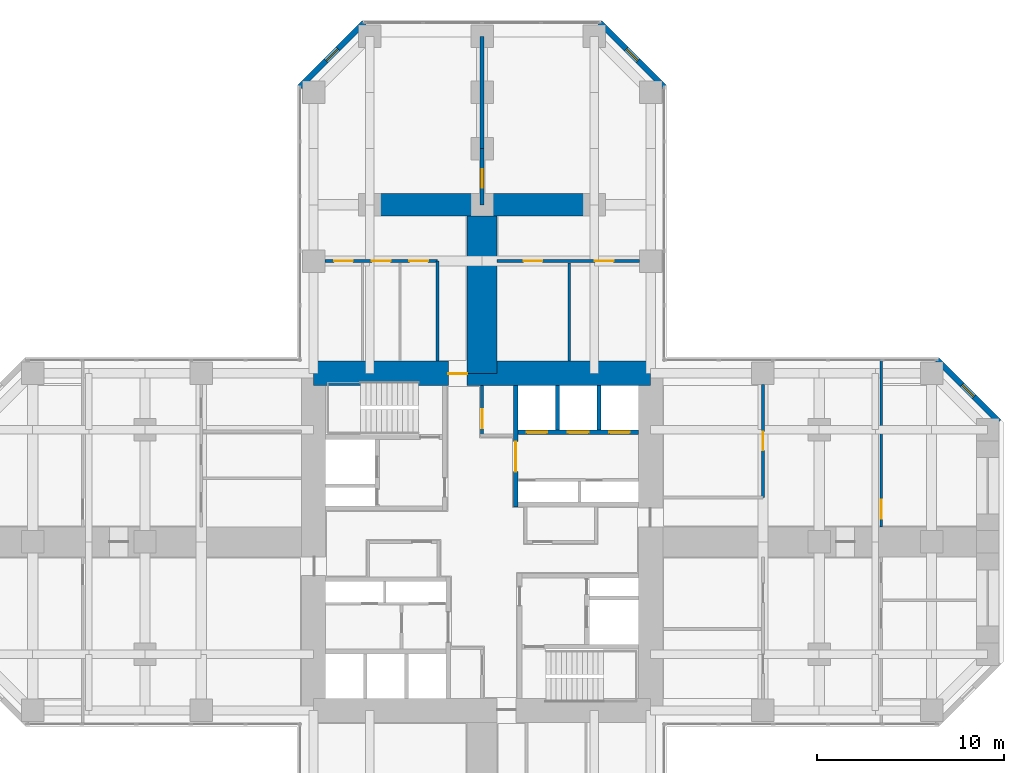
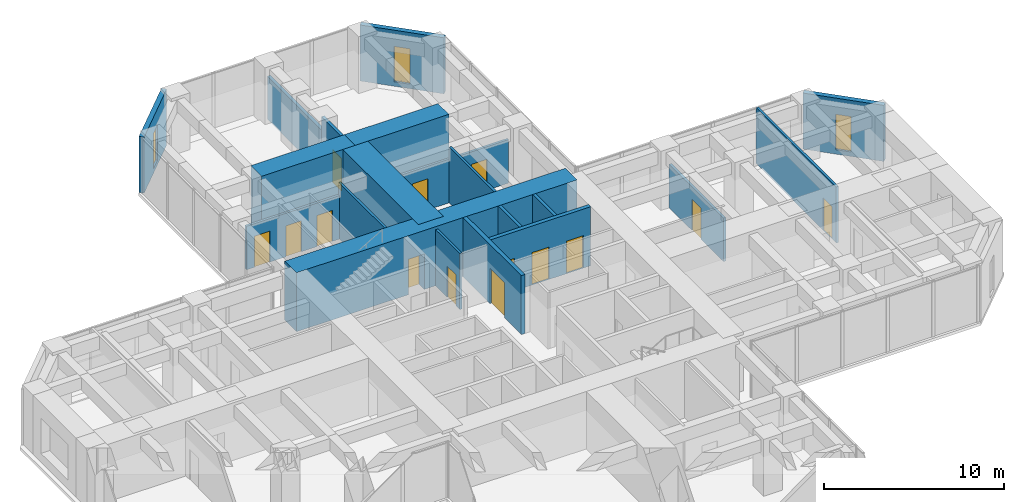
# One storey, part 11 of 13: 20 walls, 14 doors, 3 windows, 17 openings.
"""IFC4 building model written with IfcOpenShell, lengths in metres."""

import ifcopenshell
import ifcopenshell.guid

model = None  # the IFC model being written
_history = None  # IfcOwnerHistory: only IFC2X3 demands one
_inside = {}  # id of a spatial element -> (the spatial element, [elements in it])
_under = {}  # id of a project, library or spatial element -> (it, [spatial elements below it])
_declared = {}  # id of a project -> (the project, [libraries it declares])
_typed = {}  # id of a type object -> (the type object, [elements of that type])
_made_of = {}  # id of a material, layer set ... -> (it, [elements and type objects made of it])


def new_model(schema):
    """Start an empty IFC model of exactly this schema.

    Asked for "IFC4X3", IfcOpenShell would pick the latest addendum, in which some entities
    have other attributes; the version numbers below select the first issue.
    IFC2X3 requires an IfcOwnerHistory on every rooted entity: one is made here for all.
    """
    global model, _history
    if schema == "IFC4X3":
        model = ifcopenshell.file(schema_version=(4, 3, 0, 0))
    else:
        model = ifcopenshell.file(schema=schema)
    _inside.clear()
    _under.clear()
    _declared.clear()
    _typed.clear()
    _made_of.clear()
    _history = None
    if model.schema == "IFC2X3":
        org = make("IfcOrganization", Name="unknown")
        user = make(
            "IfcPersonAndOrganization",
            ThePerson=make("IfcPerson", FamilyName="unknown"),
            TheOrganization=org,
        )
        app = make(
            "IfcApplication",
            ApplicationDeveloper=org,
            Version="unknown",
            ApplicationFullName="unknown",
            ApplicationIdentifier="unknown",
        )
        _history = make(
            "IfcOwnerHistory",
            OwningUser=user,
            OwningApplication=app,
            ChangeAction="ADDED",
            CreationDate=0,
        )
    return model


def make(cls, **values):
    """One entity of the class cls with the attributes given. An attribute that is None is left unset."""
    return model.create_entity(
        cls, **{name: value for name, value in values.items() if value is not None}
    )


def rooted(cls, **values):
    """An entity with a GlobalId (a new one), such as an element, a storey or a relation."""
    return make(cls, GlobalId=ifcopenshell.guid.new(), OwnerHistory=_history, **values)


def si_unit(unit_type, name, prefix=None):
    """IfcSIUnit, for example si_unit("LENGTHUNIT", "METRE", prefix="MILLI")."""
    return make("IfcSIUnit", UnitType=unit_type, Prefix=prefix, Name=name)


def assignment(units):
    """IfcUnitAssignment: the units of a project."""
    return None if units is None else make("IfcUnitAssignment", Units=units)


def point(xyz):
    """IfcCartesianPoint."""
    return None if xyz is None else make("IfcCartesianPoint", Coordinates=xyz)


def direction(xyz):
    """IfcDirection."""
    return None if xyz is None else make("IfcDirection", DirectionRatios=xyz)


def frame(location, z_axis=None, x_axis=None):
    """IfcAxis2Placement3D, a coordinate frame: its origin and axes. An axis left out is left unset."""
    return make(
        "IfcAxis2Placement3D",
        Location=point(location),
        Axis=direction(z_axis),
        RefDirection=direction(x_axis),
    )


def frame_2d(location, x_axis=None):
    """IfcAxis2Placement2D, a coordinate frame in the plane: its origin and x axis."""
    return make(
        "IfcAxis2Placement2D", Location=point(location), RefDirection=direction(x_axis)
    )


def origin():
    """The frame at (0, 0, 0) with its axes left unset."""
    return frame((0.0, 0.0, 0.0))


def place(relative_to, where):
    """IfcLocalPlacement: puts the frame where relative to a parent placement (None: the world)."""
    return make(
        "IfcLocalPlacement", PlacementRelTo=relative_to, RelativePlacement=where
    )


def context(
    kind, dimensions, precision=None, world=None, true_north=None, identifier=None
):
    """IfcGeometricRepresentationContext, for example the 3D "Model" context."""
    return make(
        "IfcGeometricRepresentationContext",
        ContextIdentifier=identifier,
        ContextType=kind,
        CoordinateSpaceDimension=dimensions,
        Precision=precision,
        WorldCoordinateSystem=world,
        TrueNorth=true_north,
    )


def subcontext(parent, identifier, kind, view, scale=None):
    """IfcGeometricRepresentationSubContext, for example "Body" below "Model"."""
    return make(
        "IfcGeometricRepresentationSubContext",
        ContextIdentifier=identifier,
        ContextType=kind,
        ParentContext=parent,
        TargetScale=scale,
        TargetView=view,
    )


def project(units=None, contexts=None):
    """IfcProject with its units and contexts."""
    return rooted(
        "IfcProject",
        Name="project",
        RepresentationContexts=contexts,
        UnitsInContext=assignment(units),
    )


def spatial(cls, under=None, at=None, **own):
    """A site, building, storey or space (cls), placed at a placement, below another one or the project."""
    s = rooted(cls, ObjectPlacement=at, **own)
    if under is not None:
        _under.setdefault(under.id(), (under, []))[1].append(s)
    return s


def profile(cls, at=None, kind="AREA", **sizes):
    """A parametric profile (cls). Its sizes go by their IFC names, for example OverallWidth=200.0."""
    return make(cls, ProfileType=kind, Position=at, **sizes)


def rectangle(**sizes):
    """IfcRectangleProfileDef."""
    return profile("IfcRectangleProfileDef", **sizes)


def hollow_rectangle(**sizes):
    """IfcRectangleHollowProfileDef."""
    return profile("IfcRectangleHollowProfileDef", **sizes)


def extrude(swept, where, along, depth):
    """IfcExtrudedAreaSolid: the profile swept, set in the frame where, extruded along a direction by depth."""
    return make(
        "IfcExtrudedAreaSolid",
        SweptArea=swept,
        Position=where,
        ExtrudedDirection=direction(along),
        Depth=depth,
    )


def shape(context_of_items, identifier, shape_type, items):
    """IfcShapeRepresentation: the items that make up one representation, for example the "Body"."""
    return make(
        "IfcShapeRepresentation",
        ContextOfItems=context_of_items,
        RepresentationIdentifier=identifier,
        RepresentationType=shape_type,
        Items=items,
    )


def material(Name=None, Category=None):
    """IfcMaterial."""
    return make("IfcMaterial", Name=Name, Category=Category)


def layer(
    of_material, thickness, ventilated=None, Name=None, Category=None, Priority=None
):
    """IfcMaterialLayer: one layer of a wall or slab, of a material (None: an air gap)."""
    return make(
        "IfcMaterialLayer",
        Material=of_material,
        LayerThickness=thickness,
        IsVentilated=ventilated,
        Name=Name,
        Category=Category,
        Priority=Priority,
    )


def layer_set(layers, Name=None):
    """IfcMaterialLayerSet."""
    return make("IfcMaterialLayerSet", MaterialLayers=layers, LayerSetName=Name)


def constituent(of_material, Name=None, Category=None, fraction=None):
    """IfcMaterialConstituent: one of the materials an element consists of."""
    return make(
        "IfcMaterialConstituent",
        Name=Name,
        Material=of_material,
        Fraction=fraction,
        Category=Category,
    )


def constituent_set(constituents=None, Name=None):
    """IfcMaterialConstituentSet."""
    return make(
        "IfcMaterialConstituentSet", Name=Name, MaterialConstituents=constituents
    )


def made_of(thing, what):
    """Note that an element or type object is made of a material, layer set ...; save() writes the relation."""
    if what is not None:
        _made_of.setdefault(what.id(), (what, []))[1].append(thing)
    return thing


def type_object(cls, material=None, **own):
    """A type object (cls), such as IfcWallType, which elements share."""
    return made_of(rooted(cls, **own), material)


def element(
    cls,
    number,
    at=None,
    inside=None,
    cuts=None,
    type_object=None,
    material=None,
    context=None,
    identifier="Body",
    shape_type=None,
    held_by="IfcProductDefinitionShape",
    body=None,
    shapes=None,
    **own,
):
    """One element of the class cls, such as IfcWall. Its Tag is "e" and its number.

    at: its placement. inside: the storey or other place that contains it. cuts: it is an
    opening in that element (IfcRelVoidsElement). A single representation is given by context,
    identifier, shape_type and body (its items); several are given by shapes. held_by: the class
    of the entity that holds the representations. save() writes the other relations.
    """
    e = rooted(cls, Tag="e%d" % number, ObjectPlacement=at, **own)
    if body is not None:
        shapes = [shape(context, identifier, shape_type, body)]
    if shapes is not None:
        e.Representation = make(held_by, Representations=shapes)
    if inside is not None:
        _inside.setdefault(inside.id(), (inside, []))[1].append(e)
    if cuts is not None:
        rooted(
            "IfcRelVoidsElement", RelatingBuildingElement=cuts, RelatedOpeningElement=e
        )
    if type_object is not None:
        _typed.setdefault(type_object.id(), (type_object, []))[1].append(e)
    return made_of(e, material)


def fill(opening, filler):
    """IfcRelFillsElement: the door or window that sits in an opening."""
    return rooted(
        "IfcRelFillsElement",
        RelatingOpeningElement=opening,
        RelatedBuildingElement=filler,
    )


def aggregate(whole, parts):
    """IfcRelAggregates: a whole, such as a stair, and the parts it consists of."""
    return rooted("IfcRelAggregates", RelatingObject=whole, RelatedObjects=parts)


def save(model, path):
    """Write the relations noted so far, then the file.

    IfcRelAggregates (storeys below a building ...), IfcRelContainedInSpatialStructure (elements
    in a storey), IfcRelDefinesByType, IfcRelAssociatesMaterial and IfcRelDeclares: one each for
    every whole, place, type object, material and project.
    """
    for whole, parts in _under.values():
        aggregate(whole, parts)
    for where, things in _inside.values():
        rooted(
            "IfcRelContainedInSpatialStructure",
            RelatedElements=things,
            RelatingStructure=where,
        )
    for kind, things in _typed.values():
        rooted("IfcRelDefinesByType", RelatedObjects=things, RelatingType=kind)
    for what, things in _made_of.values():
        rooted("IfcRelAssociatesMaterial", RelatedObjects=things, RelatingMaterial=what)
    for by, libraries in _declared.values():
        rooted("IfcRelDeclares", RelatingContext=by, RelatedDefinitions=libraries)
    model.write(path)


model = new_model("IFC4")

# Units and contexts
model_context = context("Model", 3, precision=1e-05, world=origin(), true_north=direction((0.0, 1.0)))
body_context = subcontext(model_context, "Body", "Model", "MODEL_VIEW")
ifc_project = project(units=[si_unit("LENGTHUNIT", "METRE"), si_unit("AREAUNIT", "SQUARE_METRE"), si_unit("VOLUMEUNIT", "CUBIC_METRE"), si_unit("PLANEANGLEUNIT", "RADIAN"), si_unit("MASSUNIT", "GRAM", prefix="KILO")], contexts=[model_context])

# Site, building, storey
site_placement = place(None, origin())
site = spatial("IfcSite", under=ifc_project, at=site_placement, CompositionType="ELEMENT")
building_placement = place(site_placement, origin())
building = spatial("IfcBuilding", under=site, at=building_placement, Name="Torre Cruceta", CompositionType="ELEMENT")
storey_placement = place(building_placement, frame((0.0, 0.0, 27.5)))
storey = spatial("IfcBuildingStorey", under=building, at=storey_placement, Name="L06", CompositionType="ELEMENT", Elevation=27.5)

# Wall, opening, door
ifc_material_1 = material(Name="Concrete G60 (fck 60 MPa)", Category="concrete")
ifc_layer_1 = layer(ifc_material_1, 0.25)
ifc_layer_set_1 = layer_set([ifc_layer_1], Name="Concrete G60 (fck 60 MPa)")
wall_type_1 = type_object("IfcWallType", Name="CORE INNER WALL 250 G60", PredefinedType="SHEAR", material=ifc_layer_set_1)
wall_1_placement = place(storey_placement, frame((1.800048828125, 1.875, 0.0), z_axis=(0.0, 0.0, 1.0), x_axis=(0.0, 1.0, 0.0)))
wall_1 = element("IfcWall", 1, at=wall_1_placement, inside=storey, type_object=wall_type_1, Name="CW4 L06 NE-CU", PredefinedType="SHEAR", context=body_context, shape_type="SweptSolid", body=[
    extrude(rectangle(XDim=6.47509765625, YDim=0.25, at=frame_2d((3.237548828125, 0.0))), origin(), (0.0, 0.0, 1.0), 4.0),
])
opening_1_placement = place(wall_1_placement, frame((1.875, 0.0, 0.0)))
opening_1 = element("IfcOpeningElement", 2, at=opening_1_placement, cuts=wall_1, Name="Opening D8", PredefinedType="OPENING", context=body_context, shape_type="SweptSolid", body=[
    extrude(rectangle(XDim=1.60009765625, YDim=2.39990234375, at=frame_2d((0.800048828125, 1.199951171875))), frame((0.0, 0.135009765625, 0.0), z_axis=(0.0, -1.0, 0.0), x_axis=(1.0, 0.0, 0.0)), (0.0, 0.0, 1.0), 0.27001953125),
])
ifc_material_2 = material(Name="Steel DX51D", Category="steel")
ifc_constituent_1 = constituent(ifc_material_2, Name="Leaf and frame")
ifc_material_3 = material(Name="Polyester powder coating", Category="paint")
ifc_constituent_2 = constituent(ifc_material_3, Name="Finish")
ifc_material_4 = material(Name="Fire-resisting glass", Category="glass")
ifc_constituent_3 = constituent(ifc_material_4, Name="Vision panel")
ifc_constituent_set_1 = constituent_set(constituents=[ifc_constituent_1, ifc_constituent_2, ifc_constituent_3], Name="Steel fire door with vision panels")
door_type_1 = type_object("IfcDoorType", Name="LIFT LOBBY DOUBLE DOOR 1600X2400", OperationType="DOUBLE_DOOR_DOUBLE_SWING", PredefinedType="DOOR", material=ifc_constituent_set_1)
door_1_placement = place(opening_1_placement, origin())
door_1 = element("IfcDoor", 3, at=door_1_placement, inside=storey, type_object=door_type_1, Name="D8 L06 NE-LOBBY", OperationType="DOUBLE_DOOR_DOUBLE_SWING", OverallHeight=2.39990234375, OverallWidth=1.60009765625, PredefinedType="DOOR", context=body_context, shape_type="SweptSolid", body=[
    extrude(rectangle(XDim=1.60009765625, YDim=2.39990234375, at=frame_2d((0.800048828125, 1.199951171875))), frame((0.0, 0.02490234375, 0.0), z_axis=(0.0, -1.0, 0.0), x_axis=(1.0, 0.0, 0.0)), (0.0, 0.0, 1.0), 0.050048828125),
])
fill(opening_1, door_1)

# Wall, openings, doors
wall_2_placement = place(storey_placement, frame((1.925048828125, 5.85009765625, 0.0), z_axis=(0.0, 0.0, 1.0), x_axis=(1.0, 0.0, 0.0)))
wall_2 = element("IfcWall", 4, at=wall_2_placement, inside=storey, type_object=wall_type_1, Name="CW4 L06 NE-LV", PredefinedType="SHEAR", context=body_context, shape_type="SweptSolid", body=[
    extrude(rectangle(XDim=6.425048828125, YDim=0.25, at=frame_2d((3.21240234375, 0.0))), origin(), (0.0, 0.0, 1.0), 4.0),
])
opening_2_placement = place(wall_2_placement, frame((0.4541015625, 0.0, 0.0)))
opening_2 = element("IfcOpeningElement", 5, at=opening_2_placement, cuts=wall_2, Name="Opening LD1", PredefinedType="OPENING", context=body_context, shape_type="SweptSolid", body=[
    extrude(rectangle(XDim=1.10009765625, YDim=2.199951171875, at=frame_2d((0.550048828125, 1.10009765625))), frame((0.0, 0.135009765625, 0.0), z_axis=(0.0, -1.0, 0.0), x_axis=(1.0, 0.0, 0.0)), (0.0, 0.0, 1.0), 0.27001953125),
])
opening_3_placement = place(wall_2_placement, frame((2.66259765625, 0.0, 0.0)))
opening_3 = element("IfcOpeningElement", 6, at=opening_3_placement, cuts=wall_2, Name="Opening LD1", PredefinedType="OPENING", context=body_context, shape_type="SweptSolid", body=[
    extrude(rectangle(XDim=1.10009765625, YDim=2.199951171875, at=frame_2d((0.550048828125, 1.10009765625))), frame((0.0, 0.135009765625, 0.0), z_axis=(0.0, -1.0, 0.0), x_axis=(1.0, 0.0, 0.0)), (0.0, 0.0, 1.0), 0.27001953125),
])
opening_4_placement = place(wall_2_placement, frame((4.870849609375, 0.0, 0.0)))
opening_4 = element("IfcOpeningElement", 7, at=opening_4_placement, cuts=wall_2, Name="Opening LD1", PredefinedType="OPENING", context=body_context, shape_type="SweptSolid", body=[
    extrude(rectangle(XDim=1.10009765625, YDim=2.199951171875, at=frame_2d((0.550048828125, 1.10009765625))), frame((0.0, 0.135009765625, 0.0), z_axis=(0.0, -1.0, 0.0), x_axis=(1.0, 0.0, 0.0)), (0.0, 0.0, 1.0), 0.27001953125),
])
ifc_material_5 = material(Name="Stainless steel 1.4401", Category="steel")
door_type_2 = type_object("IfcDoorType", Name="LIFT LANDING DOOR 1100X2200", OperationType="DOUBLE_DOOR_SLIDING", PredefinedType="DOOR", material=ifc_material_5)
door_2_placement = place(opening_2_placement, origin())
door_2 = element("IfcDoor", 8, at=door_2_placement, inside=storey, type_object=door_type_2, Name="Lift landing door P1", OperationType="DOUBLE_DOOR_SLIDING", OverallHeight=2.199951171875, OverallWidth=1.10009765625, PredefinedType="DOOR", context=body_context, shape_type="SweptSolid", body=[
    extrude(rectangle(XDim=1.10009765625, YDim=2.199951171875, at=frame_2d((0.550048828125, 1.10009765625))), frame((0.0, 0.02490234375, 0.0), z_axis=(0.0, -1.0, 0.0), x_axis=(1.0, 0.0, 0.0)), (0.0, 0.0, 1.0), 0.050048828125),
])
fill(opening_2, door_2)
door_3_placement = place(opening_3_placement, origin())
door_3 = element("IfcDoor", 9, at=door_3_placement, inside=storey, type_object=door_type_2, Name="Lift landing door P2", OperationType="DOUBLE_DOOR_SLIDING", OverallHeight=2.199951171875, OverallWidth=1.10009765625, PredefinedType="DOOR", context=body_context, shape_type="SweptSolid", body=[
    extrude(rectangle(XDim=1.10009765625, YDim=2.199951171875, at=frame_2d((0.550048828125, 1.10009765625))), frame((0.0, 0.02490234375, 0.0), z_axis=(0.0, -1.0, 0.0), x_axis=(1.0, 0.0, 0.0)), (0.0, 0.0, 1.0), 0.050048828125),
])
fill(opening_3, door_3)
door_4_placement = place(opening_4_placement, origin())
door_4 = element("IfcDoor", 10, at=door_4_placement, inside=storey, type_object=door_type_2, Name="Lift landing door P3", OperationType="DOUBLE_DOOR_SLIDING", OverallHeight=2.199951171875, OverallWidth=1.10009765625, PredefinedType="DOOR", context=body_context, shape_type="SweptSolid", body=[
    extrude(rectangle(XDim=1.10009765625, YDim=2.199951171875, at=frame_2d((0.550048828125, 1.10009765625))), frame((0.0, 0.02490234375, 0.0), z_axis=(0.0, -1.0, 0.0), x_axis=(1.0, 0.0, 0.0)), (0.0, 0.0, 1.0), 0.050048828125),
])
fill(opening_4, door_4)

# Wall, opening, door
ifc_material_6 = material(Name="Concrete G60 (fck 60 MPa)", Category="concrete")
ifc_layer_2 = layer(ifc_material_6, 1.300048828125)
ifc_layer_set_2 = layer_set([ifc_layer_2], Name="Concrete G60 (fck 60 MPa)")
wall_type_2 = type_object("IfcWallType", Name="CORE WALL 1300 G60", PredefinedType="SHEAR", material=ifc_layer_set_2)
wall_3_placement = place(storey_placement, frame((9.0, 9.0, 0.0), z_axis=(0.0, 0.0, 1.0), x_axis=(-1.0, 0.0, 0.0)))
wall_3 = element("IfcWall", 11, at=wall_3_placement, inside=storey, type_object=wall_type_2, Name="CW1 L06 CW-N", PredefinedType="SHEAR", context=body_context, shape_type="SweptSolid", body=[
    extrude(rectangle(XDim=18.0, YDim=1.300048828125, at=frame_2d((9.0, 0.0))), origin(), (0.0, 0.0, 1.0), 4.0),
])
opening_5_placement = place(wall_3_placement, frame((9.800048828125, 0.0, 0.0)))
opening_5 = element("IfcOpeningElement", 12, at=opening_5_placement, cuts=wall_3, Name="Opening D4", PredefinedType="OPENING", context=body_context, shape_type="SweptSolid", body=[
    extrude(rectangle(XDim=1.0, YDim=2.39990234375, at=frame_2d((0.5, 1.199951171875))), frame((0.0, 0.659912109375, 0.0), z_axis=(0.0, -1.0, 0.0), x_axis=(1.0, 0.0, 0.0)), (0.0, 0.0, 1.0), 1.320068359375),
])
ifc_material_7 = material(Name="Steel DX51D", Category="steel")
ifc_constituent_4 = constituent(ifc_material_7, Name="Leaf and frame")
ifc_material_8 = material(Name="Polyester powder coating", Category="paint")
ifc_constituent_5 = constituent(ifc_material_8, Name="Finish")
ifc_constituent_set_2 = constituent_set(constituents=[ifc_constituent_4, ifc_constituent_5], Name="Steel fire door")
door_type_3 = type_object("IfcDoorType", Name="CORE ARM DOOR 1000X2400", OperationType="SINGLE_SWING_RIGHT", PredefinedType="DOOR", material=ifc_constituent_set_2)
door_5_placement = place(opening_5_placement, frame((1.0, 0.0, 0.0), z_axis=(0.0, 0.0, 1.0), x_axis=(-1.0, 0.0, 0.0)))
door_5 = element("IfcDoor", 13, at=door_5_placement, inside=storey, type_object=door_type_3, Name="D4 L06 CW-N", OperationType="SINGLE_SWING_RIGHT", OverallHeight=2.39990234375, OverallWidth=1.0, PredefinedType="DOOR", context=body_context, shape_type="SweptSolid", body=[
    extrude(rectangle(XDim=1.0, YDim=2.39990234375, at=frame_2d((0.5, 1.199951171875))), frame((0.0, -0.005126953125, 0.0), z_axis=(0.0, -1.0, 0.0), x_axis=(1.0, 0.0, 0.0)), (0.0, 0.0, 1.0), 0.050048828125),
])
fill(opening_5, door_5)

ifc_material_9 = material(Name="Concrete G25 (fck 25 MPa)", Category="concrete")
ifc_layer_3 = layer(ifc_material_9, 0.199951171875)
ifc_layer_set_3 = layer_set([ifc_layer_3], Name="Concrete G25 (fck 25 MPa)")
wall_type_3 = type_object("IfcWallType", Name="CORRIDOR WALL 200", PredefinedType="SOLIDWALL", material=ifc_layer_set_3)
wall_4_placement = place(storey_placement, frame((0.0, 18.0, 0.0), z_axis=(0.0, 0.0, 1.0), x_axis=(0.0, 1.0, 0.0)))
wall_4 = element("IfcWall", 14, at=wall_4_placement, inside=storey, type_object=wall_type_3, Name="PT3 spine line L06 N", PredefinedType="SOLIDWALL", context=body_context, shape_type="SweptSolid", body=[
    extrude(rectangle(XDim=3.0, YDim=0.199951171875, at=frame_2d((1.5, 0.0))), origin(), (0.0, 0.0, 1.0), 3.800048828125),
])
opening_6_placement = place(wall_4_placement, frame((0.89990234375, 0.0, 0.0)))
opening_6 = element("IfcOpeningElement", 15, at=opening_6_placement, cuts=wall_4, Name="Opening D14", PredefinedType="OPENING", context=body_context, shape_type="SweptSolid", body=[
    extrude(rectangle(XDim=1.0, YDim=2.199951171875, at=frame_2d((0.5, 1.10009765625))), frame((0.0, 0.10986328125, 0.0), z_axis=(0.0, -1.0, 0.0), x_axis=(1.0, 0.0, 0.0)), (0.0, 0.0, 1.0), 0.219970703125),
])
ifc_material_10 = material(Name="Steel DX51D", Category="steel")
ifc_constituent_6 = constituent(ifc_material_10, Name="Leaf and frame")
ifc_material_11 = material(Name="Polyester powder coating", Category="paint")
ifc_constituent_7 = constituent(ifc_material_11, Name="Finish")
ifc_material_12 = material(Name="Fire-resisting glass", Category="glass")
ifc_constituent_8 = constituent(ifc_material_12, Name="Vision panel")
ifc_constituent_set_3 = constituent_set(constituents=[ifc_constituent_6, ifc_constituent_7, ifc_constituent_8], Name="Steel fire door with vision panel")
door_type_4 = type_object("IfcDoorType", Name="FIRE DOOR VISION PANEL 1000X2200", OperationType="SINGLE_SWING_RIGHT", PredefinedType="DOOR", material=ifc_constituent_set_3)
door_6_placement = place(opening_6_placement, frame((1.0, 0.0, 0.0), z_axis=(0.0, 0.0, 1.0), x_axis=(-1.0, 0.0, 0.0)))
door_6 = element("IfcDoor", 16, at=door_6_placement, inside=storey, type_object=door_type_4, Name="D14 L06-N-SP1", OperationType="SINGLE_SWING_RIGHT", OverallHeight=2.199951171875, OverallWidth=1.0, PredefinedType="DOOR", context=body_context, shape_type="SweptSolid", body=[
    extrude(rectangle(XDim=1.0, YDim=2.199951171875, at=frame_2d((0.5, 1.10009765625))), frame((0.0, 0.025146484375, 0.0), z_axis=(0.0, -1.0, 0.0), x_axis=(1.0, 0.0, 0.0)), (0.0, 0.0, 1.0), 0.050048828125),
])
fill(opening_6, door_6)

# Walls
wall_5_placement = place(storey_placement, frame((0.0, 21.0, 0.0), z_axis=(0.0, 0.0, 1.0), x_axis=(0.0, 1.0, 0.0)))
element("IfcWall", 17, at=wall_5_placement, inside=storey, type_object=wall_type_3, Name="PT3 spine line L06 N 2", PredefinedType="SOLIDWALL", context=body_context, shape_type="SweptSolid", body=[
    extrude(rectangle(XDim=6.0, YDim=0.199951171875, at=frame_2d((3.0, 0.0))), origin(), (0.0, 0.0, 1.0), 2.89990234375),
])
ifc_material_13 = material(Name="Concrete G60 (fck 60 MPa)", Category="concrete")
ifc_layer_4 = layer(ifc_material_13, 1.199951171875)
ifc_layer_set_4 = layer_set([ifc_layer_4], Name="Concrete G60 (fck 60 MPa)")
wall_type_4 = type_object("IfcWallType", Name="CROSS WALL 1200 G60", PredefinedType="SHEAR", material=ifc_layer_set_4)
for number, where, z_axis, x_axis, name in (
    (18, (0.0, 18.0, 0.0), (0.0, 0.0, 1.0), (-1.0, 0.0, 0.0), "XW1 cross wall L06 N L"),
    (19, (0.0, 18.0, 0.0), (0.0, 0.0, 1.0), (1.0, 0.0, 0.0), "XW1 cross wall L06 N R"),
):
    element("IfcWall", number, at=place(storey_placement, frame(where, z_axis=z_axis, x_axis=x_axis)), inside=storey, type_object=wall_type_4, Name=name, PredefinedType="SHEAR", context=body_context, shape_type="SweptSolid", body=[
        extrude(rectangle(XDim=6.0, YDim=1.199951171875, at=frame_2d((3.0, 0.0))), origin(), (0.0, 0.0, 1.0), 4.0),
    ])

# Wall, opening, window
ifc_material_14 = material(Name="Concrete G30 (fck 30 MPa)", Category="concrete")
ifc_layer_5 = layer(ifc_material_14, 0.300048828125)
ifc_layer_set_5 = layer_set([ifc_layer_5], Name="Concrete G30 (fck 30 MPa)")
wall_type_5 = type_object("IfcWallType", Name="EXPOSED CONCRETE FACADE WALL 300", PredefinedType="SOLIDWALL", material=ifc_layer_set_5)
wall_6_placement = place(storey_placement, frame((27.60009765625, 6.418212890625, 0.0), z_axis=(0.0, 0.0, 1.0), x_axis=(-0.707106781187, 0.707106781187, 0.0)))
wall_6 = element("IfcWall", 20, at=wall_6_placement, inside=storey, type_object=wall_type_5, Name="EW1 facade wall L06 E chamfer 03", PredefinedType="SOLIDWALL", context=body_context, shape_type="SweptSolid", body=[
    extrude(rectangle(XDim=4.66943359375, YDim=0.300048828125, at=frame_2d((2.334716796875, 0.0))), origin(), (0.0, 0.0, 1.0), 3.800048828125),
])
opening_7_placement = place(wall_6_placement, frame((1.884765625, 0.0, 0.300048828125)))
opening_7 = element("IfcOpeningElement", 21, at=opening_7_placement, cuts=wall_6, Name="Opening WN5", PredefinedType="OPENING", context=body_context, shape_type="SweptSolid", body=[
    extrude(rectangle(XDim=0.89990234375, YDim=2.39990234375, at=frame_2d((0.449951171875, 1.199951171875))), frame((0.0, 0.159912109375, 0.0), z_axis=(0.0, -1.0, 0.0), x_axis=(1.0, 0.0, 0.0)), (0.0, 0.0, 1.0), 0.320068359375),
])
ifc_material_15 = material(Name="Aluminium window frame", Category="aluminium")
ifc_constituent_9 = constituent(ifc_material_15, Name="Frame")
ifc_material_16 = material(Name="Laminated insulating glass unit, low-iron clear", Category="glass")
ifc_constituent_10 = constituent(ifc_material_16, Name="Glazing")
ifc_constituent_set_4 = constituent_set(constituents=[ifc_constituent_9, ifc_constituent_10], Name="Aluminium window")
window_type = type_object("IfcWindowType", Name="CHAMFER SLOT WINDOW 900X2400", PartitioningType="SINGLE_PANEL", PredefinedType="WINDOW", material=ifc_constituent_set_4)
window_1_placement = place(opening_7_placement, origin())
window_1 = element("IfcWindow", 22, at=window_1_placement, inside=storey, type_object=window_type, Name="WN5 L06 E 1", OverallHeight=2.39990234375, OverallWidth=0.89990234375, PartitioningType="SINGLE_PANEL", PredefinedType="WINDOW", context=body_context, shape_type="SweptSolid", body=[
    extrude(hollow_rectangle(XDim=0.89990234375, YDim=2.39990234375, WallThickness=0.06005859375, at=frame_2d((0.449951171875, 1.199951171875))), frame((0.0, 0.030029296875, 0.0), z_axis=(0.0, -1.0, 0.0), x_axis=(1.0, 0.0, 0.0)), (0.0, 0.0, 1.0), 0.06005859375),
    extrude(rectangle(XDim=0.77880859375, YDim=2.27880859375, at=frame_2d((0.449951171875, 1.199951171875))), frame((0.0, 0.030029296875, 0.0), z_axis=(0.0, -1.0, 0.0), x_axis=(1.0, 0.0, 0.0)), (0.0, 0.0, 1.0), 0.06005859375),
])
fill(opening_7, window_1)

wall_7_placement = place(storey_placement, frame((9.719970703125, 24.29833984375, 0.0), z_axis=(0.0, 0.0, 1.0), x_axis=(-0.707106781187, 0.707106781187, 0.0)))
wall_7 = element("IfcWall", 23, at=wall_7_placement, inside=storey, type_object=wall_type_5, Name="EW1 facade wall L06 N chamfer 06", PredefinedType="SOLIDWALL", context=body_context, shape_type="SweptSolid", body=[
    extrude(rectangle(XDim=4.8388671875, YDim=0.300048828125, at=frame_2d((2.41943359375, 0.0))), origin(), (0.0, 0.0, 1.0), 3.800048828125),
])
opening_8_placement = place(wall_7_placement, frame((1.969482421875, 0.0, 0.300048828125)))
opening_8 = element("IfcOpeningElement", 24, at=opening_8_placement, cuts=wall_7, Name="Opening WN5", PredefinedType="OPENING", context=body_context, shape_type="SweptSolid", body=[
    extrude(rectangle(XDim=0.89990234375, YDim=2.39990234375, at=frame_2d((0.449951171875, 1.199951171875))), frame((0.0, 0.159912109375, 0.0), z_axis=(0.0, -1.0, 0.0), x_axis=(1.0, 0.0, 0.0)), (0.0, 0.0, 1.0), 0.320068359375),
])
window_2_placement = place(opening_8_placement, origin())
window_2 = element("IfcWindow", 25, at=window_2_placement, inside=storey, type_object=window_type, Name="WN5 L06 N 1", OverallHeight=2.39990234375, OverallWidth=0.89990234375, PartitioningType="SINGLE_PANEL", PredefinedType="WINDOW", context=body_context, shape_type="SweptSolid", body=[
    extrude(hollow_rectangle(XDim=0.89990234375, YDim=2.39990234375, WallThickness=0.06005859375, at=frame_2d((0.449951171875, 1.199951171875))), frame((0.0, 0.030029296875, 0.0), z_axis=(0.0, -1.0, 0.0), x_axis=(1.0, 0.0, 0.0)), (0.0, 0.0, 1.0), 0.06005859375),
    extrude(rectangle(XDim=0.77880859375, YDim=2.27880859375, at=frame_2d((0.449951171875, 1.199951171875))), frame((0.0, 0.030029296875, 0.0), z_axis=(0.0, -1.0, 0.0), x_axis=(1.0, 0.0, 0.0)), (0.0, 0.0, 1.0), 0.06005859375),
])
fill(opening_8, window_2)

wall_8_placement = place(storey_placement, frame((-6.29833984375, 27.719970703125, 0.0), z_axis=(0.0, 0.0, 1.0), x_axis=(-0.707106781187, -0.707106781187, 0.0)))
wall_8 = element("IfcWall", 26, at=wall_8_placement, inside=storey, type_object=wall_type_5, Name="EW1 facade wall L06 N chamfer 08", PredefinedType="SOLIDWALL", context=body_context, shape_type="SweptSolid", body=[
    extrude(rectangle(XDim=4.8388671875, YDim=0.300048828125, at=frame_2d((2.41943359375, 0.0))), origin(), (0.0, 0.0, 1.0), 3.800048828125),
])
opening_9_placement = place(wall_8_placement, frame((1.969482421875, 0.0, 0.300048828125)))
opening_9 = element("IfcOpeningElement", 27, at=opening_9_placement, cuts=wall_8, Name="Opening WN5", PredefinedType="OPENING", context=body_context, shape_type="SweptSolid", body=[
    extrude(rectangle(XDim=0.89990234375, YDim=2.39990234375, at=frame_2d((0.449951171875, 1.199951171875))), frame((0.0, 0.159912109375, 0.0), z_axis=(0.0, -1.0, 0.0), x_axis=(1.0, 0.0, 0.0)), (0.0, 0.0, 1.0), 0.320068359375),
])
window_3_placement = place(opening_9_placement, origin())
window_3 = element("IfcWindow", 28, at=window_3_placement, inside=storey, type_object=window_type, Name="WN5 L06 N 1", OverallHeight=2.39990234375, OverallWidth=0.89990234375, PartitioningType="SINGLE_PANEL", PredefinedType="WINDOW", context=body_context, shape_type="SweptSolid", body=[
    extrude(hollow_rectangle(XDim=0.89990234375, YDim=2.39990234375, WallThickness=0.06005859375, at=frame_2d((0.449951171875, 1.199951171875))), frame((0.0, 0.030029296875, 0.0), z_axis=(0.0, -1.0, 0.0), x_axis=(1.0, 0.0, 0.0)), (0.0, 0.0, 1.0), 0.06005859375),
    extrude(rectangle(XDim=0.77880859375, YDim=2.27880859375, at=frame_2d((0.449951171875, 1.199951171875))), frame((0.0, 0.030029296875, 0.0), z_axis=(0.0, -1.0, 0.0), x_axis=(1.0, 0.0, 0.0)), (0.0, 0.0, 1.0), 0.06005859375),
])
fill(opening_9, window_3)

# Walls
ifc_material_17 = material(Name="Concrete G35 (fck 35 MPa)", Category="concrete")
ifc_layer_6 = layer(ifc_material_17, 0.199951171875)
ifc_layer_set_6 = layer_set([ifc_layer_6], Name="Concrete G35 (fck 35 MPa)")
wall_type_6 = type_object("IfcWallType", Name="LIFT SHAFT WALL 200", PredefinedType="PARTITIONING", material=ifc_layer_set_6)
for number, where, z_axis, x_axis, name in (
    (29, (4.033447265625, 5.97509765625, 0.0), (0.0, 0.0, 1.0), (0.0, 1.0, 0.0), "SW1 L06 NE-LS1"),
    (30, (6.24169921875, 5.97509765625, 0.0), (0.0, 0.0, 1.0), (0.0, 1.0, 0.0), "SW1 L06 NE-LS2"),
):
    element("IfcWall", number, at=place(storey_placement, frame(where, z_axis=z_axis, x_axis=x_axis)), inside=storey, type_object=wall_type_6, Name=name, PredefinedType="PARTITIONING", context=body_context, shape_type="SweptSolid", body=[
        extrude(rectangle(XDim=2.375, YDim=0.199951171875, at=frame_2d((1.1875, 0.0))), origin(), (0.0, 0.0, 1.0), 4.0),
    ])

# Wall, opening, door
ifc_material_18 = material(Name="Plasterboard on steel studs", Category="steel")
ifc_layer_7 = layer(ifc_material_18, 0.14990234375)
ifc_layer_set_7 = layer_set([ifc_layer_7], Name="Plasterboard on steel studs")
wall_type_7 = type_object("IfcWallType", Name="PARTITION 150", PredefinedType="PARTITIONING", material=ifc_layer_set_7)
wall_9_placement = place(storey_placement, frame((0.0, 5.675048828125, 0.0), z_axis=(0.0, 0.0, 1.0), x_axis=(0.0, 1.0, 0.0)))
wall_9 = element("IfcWall", 31, at=wall_9_placement, inside=storey, type_object=wall_type_7, Name="PT1 L06-CORE-LEGN-E-W1", PredefinedType="PARTITIONING", context=body_context, shape_type="SweptSolid", body=[
    extrude(rectangle(XDim=2.675048828125, YDim=0.14990234375, at=frame_2d((1.33740234375, 0.0))), origin(), (0.0, 0.0, 1.0), 3.800048828125),
])
opening_10_placement = place(wall_9_placement, frame((0.39990234375, 0.0, 0.0)))
opening_10 = element("IfcOpeningElement", 32, at=opening_10_placement, cuts=wall_9, Name="Opening D3", PredefinedType="OPENING", context=body_context, shape_type="SweptSolid", body=[
    extrude(rectangle(XDim=1.0, YDim=2.10009765625, at=frame_2d((0.5, 1.050048828125))), frame((0.0, 0.0849609375, 0.0), z_axis=(0.0, -1.0, 0.0), x_axis=(1.0, 0.0, 0.0)), (0.0, 0.0, 1.0), 0.169921875),
])
ifc_material_19 = material(Name="Steel DX51D", Category="steel")
ifc_constituent_11 = constituent(ifc_material_19, Name="Leaf and frame")
ifc_material_20 = material(Name="Polyester powder coating", Category="paint")
ifc_constituent_12 = constituent(ifc_material_20, Name="Finish")
ifc_constituent_set_5 = constituent_set(constituents=[ifc_constituent_11, ifc_constituent_12], Name="Steel fire door")
door_type_5 = type_object("IfcDoorType", Name="FIRE DOOR 1000X2100", OperationType="SINGLE_SWING_LEFT", PredefinedType="DOOR", material=ifc_constituent_set_5)
door_7_placement = place(opening_10_placement, frame((1.0, 0.0, 0.0), z_axis=(0.0, 0.0, 1.0), x_axis=(-1.0, 0.0, 0.0)))
door_7 = element("IfcDoor", 33, at=door_7_placement, inside=storey, type_object=door_type_5, Name="D3 L06-CORE-LEGN-E-W1-D1", OperationType="SINGLE_SWING_RIGHT", OverallHeight=2.10009765625, OverallWidth=1.0, PredefinedType="DOOR", context=body_context, shape_type="SweptSolid", body=[
    extrude(rectangle(XDim=1.0, YDim=2.10009765625, at=frame_2d((0.5, 1.050048828125))), frame((0.0, 0.025146484375, 0.0), z_axis=(0.0, -1.0, 0.0), x_axis=(1.0, 0.0, 0.0)), (0.0, 0.0, 1.0), 0.050048828125),
])
fill(opening_10, door_7)

# Wall, openings, doors
wall_10_placement = place(storey_placement, frame((-2.375, 15.0, 0.0), z_axis=(0.0, 0.0, 1.0), x_axis=(-1.0, 0.0, 0.0)))
wall_10 = element("IfcWall", 34, at=wall_10_placement, inside=storey, type_object=wall_type_7, Name="PT1 L06-N-BFL", PredefinedType="PARTITIONING", context=body_context, shape_type="SweptSolid", body=[
    extrude(rectangle(XDim=6.02490234375, YDim=0.14990234375, at=frame_2d((3.012451171875, 0.0))), origin(), (0.0, 0.0, 1.0), 2.949951171875),
])
opening_11_placement = place(wall_10_placement, frame((0.504150390625, 0.0, 0.0)))
opening_11 = element("IfcOpeningElement", 35, at=opening_11_placement, cuts=wall_10, Name="Opening D3", PredefinedType="OPENING", context=body_context, shape_type="SweptSolid", body=[
    extrude(rectangle(XDim=1.0, YDim=2.10009765625, at=frame_2d((0.5, 1.050048828125))), frame((0.0, 0.0849609375, 0.0), z_axis=(0.0, -1.0, 0.0), x_axis=(1.0, 0.0, 0.0)), (0.0, 0.0, 1.0), 0.169921875),
])
opening_12_placement = place(wall_10_placement, frame((2.512451171875, 0.0, 0.0)))
opening_12 = element("IfcOpeningElement", 36, at=opening_12_placement, cuts=wall_10, Name="Opening D3", PredefinedType="OPENING", context=body_context, shape_type="SweptSolid", body=[
    extrude(rectangle(XDim=1.0, YDim=2.10009765625, at=frame_2d((0.5, 1.050048828125))), frame((0.0, 0.0849609375, 0.0), z_axis=(0.0, -1.0, 0.0), x_axis=(1.0, 0.0, 0.0)), (0.0, 0.0, 1.0), 0.169921875),
])
opening_13_placement = place(wall_10_placement, frame((4.520751953125, 0.0, 0.0)))
opening_13 = element("IfcOpeningElement", 37, at=opening_13_placement, cuts=wall_10, Name="Opening D3", PredefinedType="OPENING", context=body_context, shape_type="SweptSolid", body=[
    extrude(rectangle(XDim=1.0, YDim=2.10009765625, at=frame_2d((0.5, 1.050048828125))), frame((0.0, 0.0849609375, 0.0), z_axis=(0.0, -1.0, 0.0), x_axis=(1.0, 0.0, 0.0)), (0.0, 0.0, 1.0), 0.169921875),
])
door_8_placement = place(opening_11_placement, origin())
door_8 = element("IfcDoor", 38, at=door_8_placement, inside=storey, type_object=door_type_5, Name="D3 L06-N-BFL-D1", OperationType="SINGLE_SWING_LEFT", OverallHeight=2.10009765625, OverallWidth=1.0, PredefinedType="DOOR", context=body_context, shape_type="SweptSolid", body=[
    extrude(rectangle(XDim=1.0, YDim=2.10009765625, at=frame_2d((0.5, 1.050048828125))), frame((0.0, 0.02490234375, 0.0), z_axis=(0.0, -1.0, 0.0), x_axis=(1.0, 0.0, 0.0)), (0.0, 0.0, 1.0), 0.050048828125),
])
fill(opening_11, door_8)
door_9_placement = place(opening_12_placement, origin())
door_9 = element("IfcDoor", 39, at=door_9_placement, inside=storey, type_object=door_type_5, Name="D3 L06-N-BFL-D2", OperationType="SINGLE_SWING_LEFT", OverallHeight=2.10009765625, OverallWidth=1.0, PredefinedType="DOOR", context=body_context, shape_type="SweptSolid", body=[
    extrude(rectangle(XDim=1.0, YDim=2.10009765625, at=frame_2d((0.5, 1.050048828125))), frame((0.0, 0.02490234375, 0.0), z_axis=(0.0, -1.0, 0.0), x_axis=(1.0, 0.0, 0.0)), (0.0, 0.0, 1.0), 0.050048828125),
])
fill(opening_12, door_9)
door_10_placement = place(opening_13_placement, origin())
door_10 = element("IfcDoor", 40, at=door_10_placement, inside=storey, type_object=door_type_5, Name="D3 L06-N-BFL-D3", OperationType="SINGLE_SWING_LEFT", OverallHeight=2.10009765625, OverallWidth=1.0, PredefinedType="DOOR", context=body_context, shape_type="SweptSolid", body=[
    extrude(rectangle(XDim=1.0, YDim=2.10009765625, at=frame_2d((0.5, 1.050048828125))), frame((0.0, 0.02490234375, 0.0), z_axis=(0.0, -1.0, 0.0), x_axis=(1.0, 0.0, 0.0)), (0.0, 0.0, 1.0), 0.050048828125),
])
fill(opening_13, door_10)

# Wall
wall_11_placement = place(storey_placement, frame((-2.375, 9.64990234375, 0.0), z_axis=(0.0, 0.0, 1.0), x_axis=(0.0, 1.0, 0.0)))
element("IfcWall", 41, at=wall_11_placement, inside=storey, type_object=wall_type_7, Name="PT1 L06-N-BSL", PredefinedType="PARTITIONING", context=body_context, shape_type="SweptSolid", body=[
    extrude(rectangle(XDim=5.35009765625, YDim=0.14990234375, at=frame_2d((2.675048828125, 0.0))), origin(), (0.0, 0.0, 1.0), 3.800048828125),
])

# Wall, openings, doors
wall_12_placement = place(storey_placement, frame((8.39990234375, 15.0, 0.0), z_axis=(0.0, 0.0, 1.0), x_axis=(-1.0, 0.0, 0.0)))
wall_12 = element("IfcWall", 42, at=wall_12_placement, inside=storey, type_object=wall_type_7, Name="PT1 L06-N-BFR", PredefinedType="PARTITIONING", context=body_context, shape_type="SweptSolid", body=[
    extrude(rectangle(XDim=7.599853515625, YDim=0.14990234375, at=frame_2d((3.7998046875, 0.0))), origin(), (0.0, 0.0, 1.0), 2.949951171875),
])
opening_14_placement = place(wall_12_placement, frame((1.375, 0.0, 0.0)))
opening_14 = element("IfcOpeningElement", 43, at=opening_14_placement, cuts=wall_12, Name="Opening D3", PredefinedType="OPENING", context=body_context, shape_type="SweptSolid", body=[
    extrude(rectangle(XDim=1.0, YDim=2.10009765625, at=frame_2d((0.5, 1.050048828125))), frame((0.0, 0.0849609375, 0.0), z_axis=(0.0, -1.0, 0.0), x_axis=(1.0, 0.0, 0.0)), (0.0, 0.0, 1.0), 0.169921875),
])
opening_15_placement = place(wall_12_placement, frame((5.175048828125, 0.0, 0.0)))
opening_15 = element("IfcOpeningElement", 44, at=opening_15_placement, cuts=wall_12, Name="Opening D3", PredefinedType="OPENING", context=body_context, shape_type="SweptSolid", body=[
    extrude(rectangle(XDim=1.0, YDim=2.10009765625, at=frame_2d((0.5, 1.050048828125))), frame((0.0, 0.0849609375, 0.0), z_axis=(0.0, -1.0, 0.0), x_axis=(1.0, 0.0, 0.0)), (0.0, 0.0, 1.0), 0.169921875),
])
door_11_placement = place(opening_14_placement, origin())
door_11 = element("IfcDoor", 45, at=door_11_placement, inside=storey, type_object=door_type_5, Name="D3 L06-N-BFR-D1", OperationType="SINGLE_SWING_RIGHT", OverallHeight=2.10009765625, OverallWidth=1.0, PredefinedType="DOOR", context=body_context, shape_type="SweptSolid", body=[
    extrude(rectangle(XDim=1.0, YDim=2.10009765625, at=frame_2d((0.5, 1.050048828125))), frame((0.0, 0.02490234375, 0.0), z_axis=(0.0, -1.0, 0.0), x_axis=(1.0, 0.0, 0.0)), (0.0, 0.0, 1.0), 0.050048828125),
])
fill(opening_14, door_11)
door_12_placement = place(opening_15_placement, origin())
door_12 = element("IfcDoor", 46, at=door_12_placement, inside=storey, type_object=door_type_5, Name="D3 L06-N-BFR-D2", OperationType="SINGLE_SWING_LEFT", OverallHeight=2.10009765625, OverallWidth=1.0, PredefinedType="DOOR", context=body_context, shape_type="SweptSolid", body=[
    extrude(rectangle(XDim=1.0, YDim=2.10009765625, at=frame_2d((0.5, 1.050048828125))), frame((0.0, 0.02490234375, 0.0), z_axis=(0.0, -1.0, 0.0), x_axis=(1.0, 0.0, 0.0)), (0.0, 0.0, 1.0), 0.050048828125),
])
fill(opening_15, door_12)

# Wall
wall_13_placement = place(storey_placement, frame((4.64990234375, 9.64990234375, 0.0), z_axis=(0.0, 0.0, 1.0), x_axis=(0.0, 1.0, 0.0)))
element("IfcWall", 47, at=wall_13_placement, inside=storey, type_object=wall_type_7, Name="PT1 L06-N-BDR1", PredefinedType="PARTITIONING", context=body_context, shape_type="SweptSolid", body=[
    extrude(rectangle(XDim=5.25, YDim=0.14990234375, at=frame_2d((2.625, 0.0))), origin(), (0.0, 0.0, 1.0), 3.800048828125),
])

# Wall, opening, door
wall_14_placement = place(storey_placement, frame((15.0, 2.375, 0.0), z_axis=(0.0, 0.0, 1.0), x_axis=(0.0, 1.0, 0.0)))
wall_14 = element("IfcWall", 48, at=wall_14_placement, inside=storey, type_object=wall_type_7, Name="PT1 L06-E-BFL", PredefinedType="PARTITIONING", context=body_context, shape_type="SweptSolid", body=[
    extrude(rectangle(XDim=6.02490234375, YDim=0.14990234375, at=frame_2d((3.012451171875, 0.0))), origin(), (0.0, 0.0, 1.0), 2.949951171875),
])
opening_16_placement = place(wall_14_placement, frame((2.512451171875, 0.0, 0.0)))
opening_16 = element("IfcOpeningElement", 49, at=opening_16_placement, cuts=wall_14, Name="Opening D3", PredefinedType="OPENING", context=body_context, shape_type="SweptSolid", body=[
    extrude(rectangle(XDim=1.0, YDim=2.10009765625, at=frame_2d((0.5, 1.050048828125))), frame((0.0, 0.0849609375, 0.0), z_axis=(0.0, -1.0, 0.0), x_axis=(1.0, 0.0, 0.0)), (0.0, 0.0, 1.0), 0.169921875),
])
door_13_placement = place(opening_16_placement, origin())
door_13 = element("IfcDoor", 50, at=door_13_placement, inside=storey, type_object=door_type_5, Name="D3 L06-E-BFL-D1", OperationType="SINGLE_SWING_LEFT", OverallHeight=2.10009765625, OverallWidth=1.0, PredefinedType="DOOR", context=body_context, shape_type="SweptSolid", body=[
    extrude(rectangle(XDim=1.0, YDim=2.10009765625, at=frame_2d((0.5, 1.050048828125))), frame((0.0, 0.02490234375, 0.0), z_axis=(0.0, -1.0, 0.0), x_axis=(1.0, 0.0, 0.0)), (0.0, 0.0, 1.0), 0.050048828125),
])
fill(opening_16, door_13)

wall_15_placement = place(storey_placement, frame((21.320068359375, 0.800048828125, 0.0), z_axis=(0.0, 0.0, 1.0), x_axis=(0.0, 1.0, 0.0)))
wall_15 = element("IfcWall", 51, at=wall_15_placement, inside=storey, type_object=wall_type_7, Name="PT1 L06-E-TWL", PredefinedType="PARTITIONING", context=body_context, shape_type="SweptSolid", body=[
    extrude(rectangle(XDim=8.8798828125, YDim=0.14990234375, at=frame_2d((4.43994140625, 0.0))), origin(), (0.0, 0.0, 1.0), 3.800048828125),
])
opening_17_placement = place(wall_15_placement, frame((0.449951171875, 0.0, 0.0)))
opening_17 = element("IfcOpeningElement", 52, at=opening_17_placement, cuts=wall_15, Name="Opening D14", PredefinedType="OPENING", context=body_context, shape_type="SweptSolid", body=[
    extrude(rectangle(XDim=1.0, YDim=2.199951171875, at=frame_2d((0.5, 1.10009765625))), frame((0.0, 0.0849609375, 0.0), z_axis=(0.0, -1.0, 0.0), x_axis=(1.0, 0.0, 0.0)), (0.0, 0.0, 1.0), 0.169921875),
])
door_14_placement = place(opening_17_placement, frame((1.0, 0.0, 0.0), z_axis=(0.0, 0.0, 1.0), x_axis=(-1.0, 0.0, 0.0)))
door_14 = element("IfcDoor", 53, at=door_14_placement, inside=storey, type_object=door_type_4, Name="D14 L06-E-TWL-D1", OperationType="SINGLE_SWING_RIGHT", OverallHeight=2.199951171875, OverallWidth=1.0, PredefinedType="DOOR", context=body_context, shape_type="SweptSolid", body=[
    extrude(rectangle(XDim=1.0, YDim=2.199951171875, at=frame_2d((0.5, 1.10009765625))), frame((0.0, 0.025146484375, 0.0), z_axis=(0.0, -1.0, 0.0), x_axis=(1.0, 0.0, 0.0)), (0.0, 0.0, 1.0), 0.050048828125),
])
fill(opening_17, door_14)

# Wall
ifc_material_21 = material(Name="Concrete G60 (fck 60 MPa)", Category="concrete")
ifc_layer_8 = layer(ifc_material_21, 1.60009765625)
ifc_layer_set_8 = layer_set([ifc_layer_8], Name="Concrete G60 (fck 60 MPa)")
wall_type_8 = type_object("IfcWallType", Name="SPINE WALL 1600 G60", PredefinedType="SHEAR", material=ifc_layer_set_8)
wall_16_placement = place(storey_placement, frame((0.0, 9.0, 0.0), z_axis=(0.0, 0.0, 1.0), x_axis=(0.0, 1.0, 0.0)))
element("IfcWall", 54, at=wall_16_placement, inside=storey, type_object=wall_type_8, Name="SW2 spine wall L06 N", PredefinedType="SHEAR", context=body_context, shape_type="SweptSolid", body=[
    extrude(rectangle(XDim=9.0, YDim=1.60009765625, at=frame_2d((4.5, 0.0))), origin(), (0.0, 0.0, 1.0), 4.0),
])

save(model, "model.ifc")
